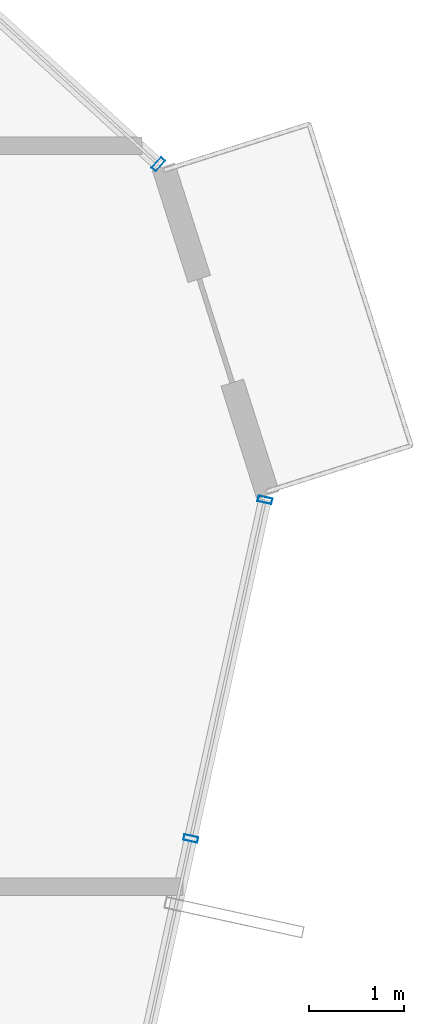
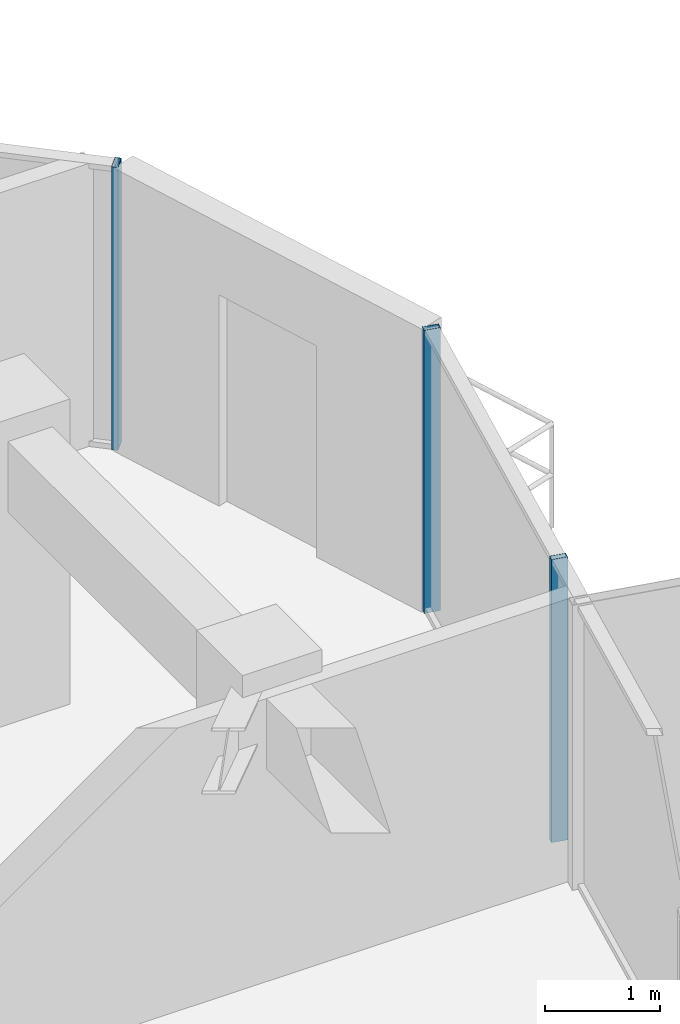
# One storey, part 19 of 28: 3 members, 2 elements without a shape of their own.
"""IFC4 building model written with IfcOpenShell, lengths in metres."""

from ifc_helpers import new_model, si_unit, direction, frame, origin, origin_2d, place, context, subcontext, project, spatial, hollow_rectangle, extrude, source, transform, mapped, material, layer, layer_set, material_profile, profile_set, type_object, element, aggregate, save


model = new_model("IFC4")

# Units and contexts
model_context = context("Model", 3, precision=1e-05, world=origin(), true_north=direction((0.0, 1.0)))
body_context = subcontext(model_context, "Body", "Model", "MODEL_VIEW")
ifc_project = project(units=[si_unit("LENGTHUNIT", "METRE"), si_unit("AREAUNIT", "SQUARE_METRE"), si_unit("VOLUMEUNIT", "CUBIC_METRE"), si_unit("PLANEANGLEUNIT", "RADIAN"), si_unit("MASSUNIT", "GRAM", prefix="KILO")], contexts=[model_context])

# Site, building, storey
site_placement = place(None, origin())
site = spatial("IfcSite", under=ifc_project, at=site_placement, CompositionType="ELEMENT")
building_placement = place(site_placement, origin())
building = spatial("IfcBuilding", under=site, at=building_placement, Name="Veraguas Prism Commons", CompositionType="ELEMENT")
storey_placement = place(building_placement, frame((0.0, 0.0, 251.25)))
storey = spatial("IfcBuildingStorey", under=building, at=storey_placement, Name="L71", CompositionType="ELEMENT", Elevation=251.25)

# Curtain wall, member
ifc_material = material(Name="Anodised aluminium EN AW-6063 T6", Category="aluminium")
ifc_layer = layer(ifc_material, 0.14990234375, Name="Unitised Flush Curtain Wall Zone 4", Category="aluminium")
ifc_layer_set = layer_set([ifc_layer], Name="Anodised aluminium EN AW-6063 T6")
curtain_wall_type = type_object("IfcCurtainWallType", Name="Unitised Flush Curtain Wall Zone 4", PredefinedType="NOTDEFINED", material=ifc_layer_set)
curtain_wall_1_placement = place(storey_placement, origin())
curtain_wall_1 = element("IfcCurtainWall", 1, at=curtain_wall_1_placement, inside=storey, type_object=curtain_wall_type, Name="Tower Facade Curtain Wall L71-F1", PredefinedType="NOTDEFINED")
ifc_material_profile = material_profile(ifc_material, hollow_rectangle(XDim=0.06005859375, YDim=0.14990234375, WallThickness=0.0029296875, at=origin_2d()), Name="AL60X150X3")
ifc_profile_set = profile_set([ifc_material_profile], Name="Anodised aluminium EN AW-6063 T6")
member_type = type_object("IfcMemberType", Name="Curtain Wall Mullion Upper AL 60x150x3", PredefinedType="MULLION", material=ifc_profile_set)
shared_shape = source(origin(), body_context, "Body", "SweptSolid", [
    extrude(hollow_rectangle(XDim=0.06005859375, YDim=0.14990234375, WallThickness=0.0029296875, at=origin_2d()), origin(), (0.0, 0.0, 1.0), 3.014892578125),
])
member_1_placement = place(storey_placement, frame((40.520263671875, 31.2041015625, 0.0), z_axis=(0.0, 0.0, 1.0), x_axis=(-0.738925912503, 0.673786684219, 0.0)))
member_1 = element("IfcMember", 2, at=member_1_placement, type_object=member_type, Name="CW-Z4 Mullion 1", PredefinedType="MULLION", context=body_context, shape_type="MappedRepresentation", body=[
    mapped(shared_shape, transform((0.0, 0.0, 0.0), scale=1.0)),
])
aggregate(curtain_wall_1, [member_1])

# Curtain wall, members
curtain_wall_2_placement = place(storey_placement, origin())
curtain_wall_2 = element("IfcCurtainWall", 3, at=curtain_wall_2_placement, inside=storey, type_object=curtain_wall_type, Name="Tower Facade Curtain Wall L71-F6", PredefinedType="NOTDEFINED")
member_2_placement = place(storey_placement, frame((40.86328125, 24.083984375, 0.0), z_axis=(0.0, 0.0, 1.0), x_axis=(0.214053429014, 0.976821953852, 0.0)))
member_2 = element("IfcMember", 4, at=member_2_placement, type_object=member_type, Name="CW-Z4 Mullion 4", PredefinedType="MULLION", context=body_context, shape_type="MappedRepresentation", body=[
    mapped(shared_shape, transform((0.0, 0.0, 0.0), scale=1.0)),
])
member_3_placement = place(storey_placement, frame((41.64697265625, 27.66064453125, 0.0), z_axis=(0.0, 0.0, 1.0), x_axis=(0.214053429014, 0.976821953852, 0.0)))
member_3 = element("IfcMember", 5, at=member_3_placement, type_object=member_type, Name="CW-Z4 Mullion 5", PredefinedType="MULLION", context=body_context, shape_type="MappedRepresentation", body=[
    mapped(shared_shape, transform((0.0, 0.0, 0.0), scale=1.0)),
])
aggregate(curtain_wall_2, [member_2, member_3])

save(model, "model.ifc")
